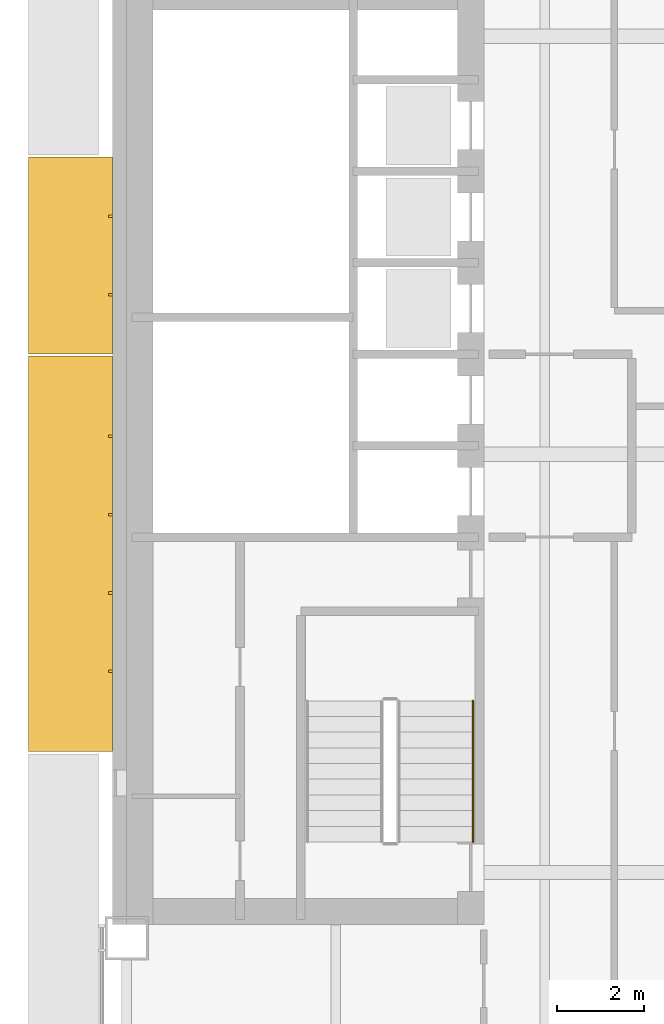
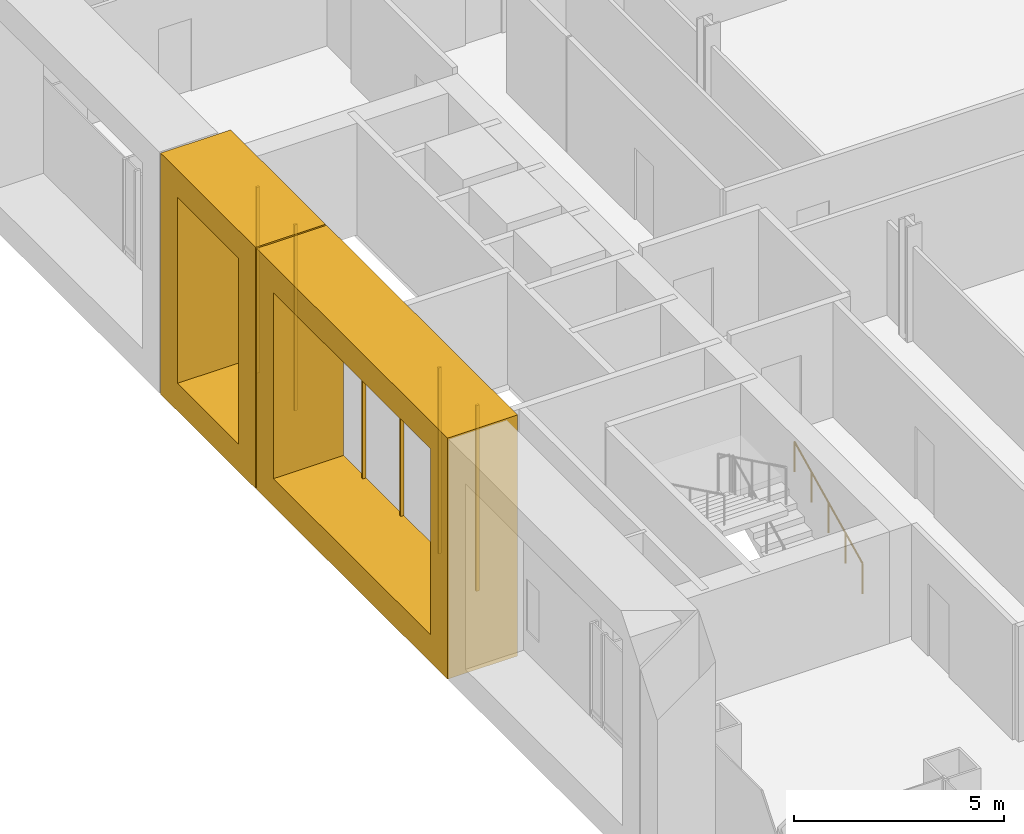
# One storey, part 21 of 25: 8 coverings, 1 railing.
"""IFC4 building model written with IfcOpenShell, lengths in metres."""

from ifc_helpers import new_model, si_unit, direction, frame, origin, origin_2d, place, context, subcontext, project, spatial, polyline, rectangle, circle, outline, extrude, material, type_object, element, save


model = new_model("IFC4")

# Units and contexts
model_context = context("Model", 3, precision=1e-05, world=origin(), true_north=direction((0.0, 1.0)))
body_context = subcontext(model_context, "Body", "Model", "MODEL_VIEW")
ifc_project = project(units=[si_unit("LENGTHUNIT", "METRE"), si_unit("AREAUNIT", "SQUARE_METRE"), si_unit("VOLUMEUNIT", "CUBIC_METRE"), si_unit("PLANEANGLEUNIT", "RADIAN"), si_unit("MASSUNIT", "GRAM", prefix="KILO")], contexts=[model_context])

# Site, building, storey
site_placement = place(None, origin())
site = spatial("IfcSite", under=ifc_project, at=site_placement, CompositionType="ELEMENT")
building_placement = place(site_placement, origin())
building = spatial("IfcBuilding", under=site, at=building_placement, Name="Cobrizo Arcos Hotel Tower", CompositionType="ELEMENT")
storey_placement = place(building_placement, frame((0.0, 0.0, 46.0)))
storey = spatial("IfcBuildingStorey", under=building, at=storey_placement, Name="L09", CompositionType="ELEMENT", Elevation=46.0)

# Coverings
ifc_material_1 = material(Name="Aluminium 6063-T6 anodised bronze", Category="aluminium")
covering_type_1 = type_object("IfcCoveringType", Name="FIN-F 1925", PredefinedType="CLADDING", material=ifc_material_1)
covering_1_placement = place(storey_placement, frame((-24.324951171875, 6.824951171875, 0.0), z_axis=(-1.0, 0.0, 0.0), x_axis=(0.0, -1.0, 0.0)))
element("IfcCovering", 1, at=covering_1_placement, inside=storey, type_object=covering_type_1, Name="Fin frame 65", PredefinedType="CLADDING", context=body_context, shape_type="SweptSolid", body=[
    extrude(outline(polyline([(0.0, 7.0), (0.0, 0.0), (4.5166015625, 0.0), (4.5166015625, 7.0), (0.0, 7.0)]), holes=[polyline([(3.716796875, 0.800048828125), (0.800048828125, 0.800048828125), (0.800048828125, 6.199951171875), (3.716796875, 6.199951171875), (3.716796875, 0.800048828125)])]), origin(), (0.0, 0.0, 1.0), 1.925048828125),
])
covering_2_placement = place(storey_placement, frame((-24.324951171875, 2.25830078125, 0.0), z_axis=(-1.0, 0.0, 0.0), x_axis=(0.0, -1.0, 0.0)))
element("IfcCovering", 2, at=covering_2_placement, inside=storey, type_object=covering_type_1, Name="Fin frame 66", PredefinedType="CLADDING", context=body_context, shape_type="SweptSolid", body=[
    extrude(outline(polyline([(0.0, 7.0), (0.0, 0.0), (9.083251953125, 0.0), (9.083251953125, 7.0), (0.0, 7.0)]), holes=[polyline([(8.283203125, 0.800048828125), (0.800048828125, 0.800048828125), (0.800048828125, 6.199951171875), (8.283203125, 6.199951171875), (8.283203125, 0.800048828125)])]), origin(), (0.0, 0.0, 1.0), 1.925048828125),
])
ifc_material_2 = material(Name="Aluminium 6063-T6 anodised pale", Category="aluminium")
covering_type_2 = type_object("IfcCoveringType", Name="RS-1 rainscreen rib 60x90", PredefinedType="CLADDING", material=ifc_material_2)
for number, where, z_axis, x_axis, name in (
    (3, (-24.3701171875, 5.466552734375, 0.800048828125), (0.0, 0.0, 1.0), (0.0, -1.0, 0.0), "Rainscreen rib 111"),
    (4, (-24.3701171875, 3.666748046875, 0.800048828125), (0.0, 0.0, 1.0), (0.0, -1.0, 0.0), "Rainscreen rib 112"),
    (5, (-24.3701171875, 0.416748046875, 0.800048828125), (0.0, 0.0, 1.0), (0.0, -1.0, 0.0), "Rainscreen rib 113"),
    (6, (-24.3701171875, -1.38330078125, 0.800048828125), (0.0, 0.0, 1.0), (0.0, -1.0, 0.0), "Rainscreen rib 114"),
    (7, (-24.3701171875, -3.183349609375, 0.800048828125), (0.0, 0.0, 1.0), (0.0, -1.0, 0.0), "Rainscreen rib 115"),
    (8, (-24.3701171875, -4.9833984375, 0.800048828125), (0.0, 0.0, 1.0), (0.0, -1.0, 0.0), "Rainscreen rib 116"),
):
    element("IfcCovering", number, at=place(storey_placement, frame(where, z_axis=z_axis, x_axis=x_axis)), inside=storey, type_object=covering_type_2, Name=name, PredefinedType="CLADDING", context=body_context, shape_type="SweptSolid", body=[
        extrude(rectangle(XDim=0.06005859375, YDim=0.090087890625, at=origin_2d()), origin(), (0.0, 0.0, 1.0), 5.39990234375),
    ])

# Railing
ifc_material_3 = material(Name="Stainless steel railing", Category="steel")
railing_type = type_object("IfcRailingType", Name="Stair handrail", PredefinedType="HANDRAIL", material=ifc_material_3)
railing_placement = place(storey_placement, frame((-16.050048828125, -8.89990234375, 0.175048828125)))
element("IfcRailing", 9, at=railing_placement, inside=storey, type_object=railing_type, Name="L09 ST-W stair handrail 1", PredefinedType="HANDRAIL", context=body_context, shape_type="SweptSolid", body=[
    extrude(circle(Radius=0.02392578125, at=origin_2d()), frame((0.0, 0.0, 0.8759765625), z_axis=(0.0, 0.899372665325, 0.437182809435), x_axis=(-1.0, 0.0, 0.0)), (0.0, 0.0, 1.0), 3.6025390625),
    extrude(circle(Radius=0.02099609375, at=origin_2d()), origin(), (0.0, 0.0, 1.0), 0.851806640625),
    extrude(circle(Radius=0.02099609375, at=origin_2d()), frame((0.0, 0.81005859375, 0.393798828125)), (0.0, 0.0, 1.0), 0.851806640625),
    extrude(circle(Radius=0.02099609375, at=origin_2d()), frame((0.0, 1.6201171875, 0.78759765625)), (0.0, 0.0, 1.0), 0.851806640625),
    extrude(circle(Radius=0.02099609375, at=origin_2d()), frame((0.0, 2.429931640625, 1.18115234375)), (0.0, 0.0, 1.0), 0.851806640625),
    extrude(circle(Radius=0.02099609375, at=origin_2d()), frame((0.0, 3.239990234375, 1.574951171875)), (0.0, 0.0, 1.0), 0.851806640625),
])

save(model, "model.ifc")
